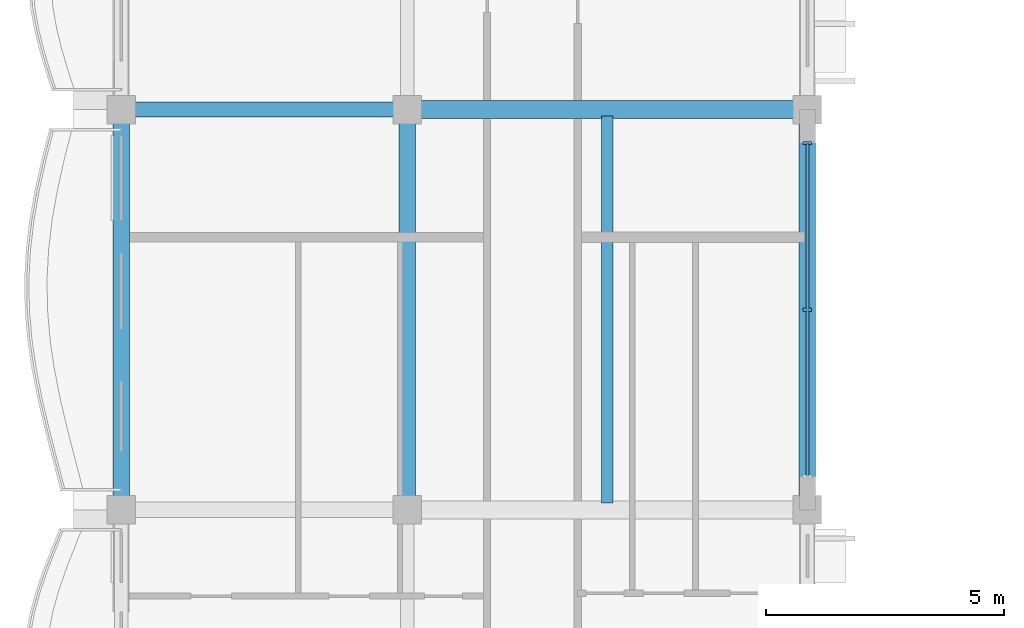
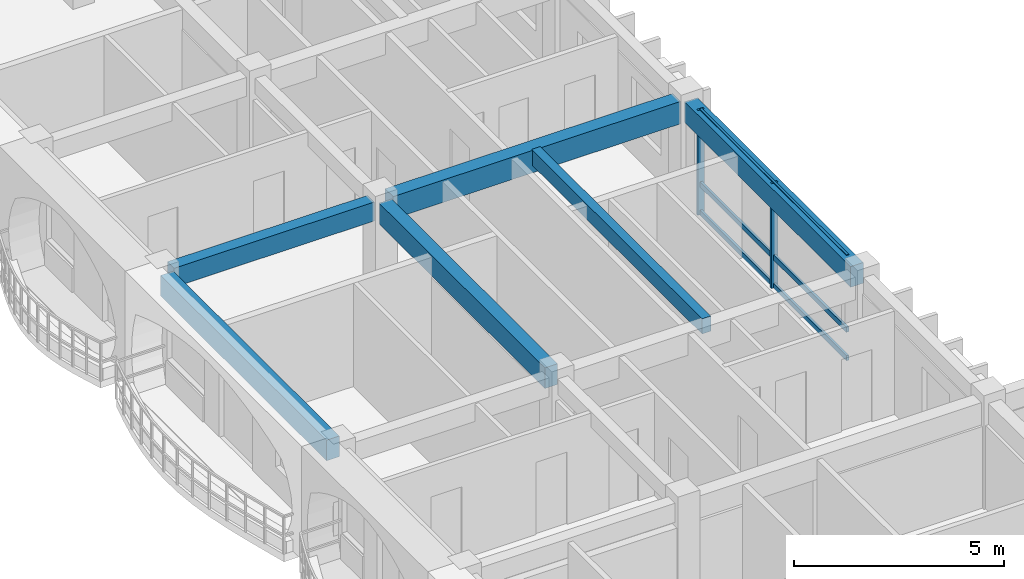
# One storey, part 5 of 79: 6 beams, 5 members, 1 element without a shape of its own.
"""IFC4 building model written with IfcOpenShell, lengths in metres."""

from ifc_helpers import new_model, si_unit, direction, frame, origin, origin_2d, place, context, subcontext, project, spatial, rectangle, extrude, material, material_profile, profile_set, type_object, element, aggregate, save


model = new_model("IFC4")

# Units and contexts
model_context = context("Model", 3, precision=1e-05, world=origin(), true_north=direction((0.0, 1.0)))
body_context = subcontext(model_context, "Body", "Model", "MODEL_VIEW")
ifc_project = project(units=[si_unit("LENGTHUNIT", "METRE"), si_unit("AREAUNIT", "SQUARE_METRE"), si_unit("VOLUMEUNIT", "CUBIC_METRE"), si_unit("PLANEANGLEUNIT", "RADIAN"), si_unit("MASSUNIT", "GRAM", prefix="KILO"), si_unit("THERMODYNAMICTEMPERATUREUNIT", "KELVIN")], contexts=[model_context])

# Site, building, storey
site_placement = place(None, origin())
site = spatial("IfcSite", under=ifc_project, at=site_placement, CompositionType="ELEMENT")
building_placement = place(site_placement, origin())
building = spatial("IfcBuilding", under=site, at=building_placement, Name="Thalorik Housing Commons", CompositionType="ELEMENT")
storey_placement = place(building_placement, frame((0.0, 0.0, 11.39990234375)))
storey = spatial("IfcBuildingStorey", under=building, at=storey_placement, Name="L03", CompositionType="ELEMENT", Elevation=11.39990234375)

# Curtain wall, members
ifc_material_1 = material(Name="Anodised aluminium and solar-control low-E glass", Category="aluminium")
curtain_wall_type = type_object("IfcCurtainWallType", Name="ARC-CW-LOUNGE", PredefinedType="USERDEFINED", material=ifc_material_1)
curtain_wall_placement = place(storey_placement, origin())
curtain_wall = element("IfcCurtainWall", 1, at=curtain_wall_placement, inside=storey, type_object=curtain_wall_type, Name="L03 Curtain Wall CW-RES-L03-C-137", ObjectType="CURTAIN WALL", PredefinedType="USERDEFINED")
ifc_material_2 = material(Name="Anodised aluminium 6063-T6", Category="aluminium")
ifc_material_profile_1 = material_profile(ifc_material_2, rectangle(XDim=0.06494140625, YDim=0.179931640625, at=origin_2d()), Name="ALU MUL 65x180", Category="aluminium")
ifc_profile_set_1 = profile_set([ifc_material_profile_1], Name="Anodised aluminium 6063-T6")
member_type_1 = type_object("IfcMemberType", Name="ARC-CW-MUL-65x180", PredefinedType="MULLION", material=ifc_profile_set_1)
member_1_placement = place(storey_placement, frame((22.800048828125, 33.0, 0.0), z_axis=(0.0, 0.0, 1.0), x_axis=(0.0, 1.0, 0.0)))
member_1 = element("IfcMember", 2, at=member_1_placement, type_object=member_type_1, Name="CW-RES-L03-C-137 Mullion 2", PredefinedType="MULLION", context=body_context, shape_type="SweptSolid", body=[
    extrude(rectangle(XDim=0.06494140625, YDim=0.179931640625, at=origin_2d()), origin(), (0.0, 0.0, 1.0), 3.0400390625),
])
member_2_placement = place(storey_placement, frame((22.800048828125, 36.5, 0.0), z_axis=(0.0, 0.0, 1.0), x_axis=(0.0, 1.0, 0.0)))
member_2 = element("IfcMember", 3, at=member_2_placement, type_object=member_type_1, Name="CW-RES-L03-C-137 Mullion 3", PredefinedType="MULLION", context=body_context, shape_type="SweptSolid", body=[
    extrude(rectangle(XDim=0.06494140625, YDim=0.179931640625, at=origin_2d()), origin(), (0.0, 0.0, 1.0), 3.0400390625),
])
ifc_material_profile_2 = material_profile(ifc_material_2, rectangle(XDim=0.06494140625, YDim=0.14990234375, at=origin_2d()), Name="ALU TRN 65x150", Category="aluminium")
ifc_profile_set_2 = profile_set([ifc_material_profile_2], Name="Anodised aluminium 6063-T6")
member_type_2 = type_object("IfcMemberType", Name="ARC-CW-TRN-65x150", PredefinedType="USERDEFINED", material=ifc_profile_set_2)
member_3_placement = place(storey_placement, frame((22.800048828125, 29.5, 0.05517578125), z_axis=(0.0, 1.0, 0.0), x_axis=(-1.0, 0.0, 0.0)))
member_3 = element("IfcMember", 4, at=member_3_placement, type_object=member_type_2, Name="CW-RES-L03-C-137 Transom 1", ObjectType="TRANSOM", PredefinedType="USERDEFINED", context=body_context, shape_type="SweptSolid", body=[
    extrude(rectangle(XDim=0.06494140625, YDim=0.14990234375, at=origin_2d()), origin(), (0.0, 0.0, 1.0), 7.0),
])
member_4_placement = place(storey_placement, frame((22.800048828125, 29.5, 0.880126953125), z_axis=(0.0, 1.0, 0.0), x_axis=(-1.0, 0.0, 0.0)))
member_4 = element("IfcMember", 5, at=member_4_placement, type_object=member_type_2, Name="CW-RES-L03-C-137 Transom 2", ObjectType="TRANSOM", PredefinedType="USERDEFINED", context=body_context, shape_type="SweptSolid", body=[
    extrude(rectangle(XDim=0.06494140625, YDim=0.14990234375, at=origin_2d()), origin(), (0.0, 0.0, 1.0), 7.0),
])
member_5_placement = place(storey_placement, frame((22.800048828125, 29.5, 2.985107421875), z_axis=(0.0, 1.0, 0.0), x_axis=(-1.0, 0.0, 0.0)))
member_5 = element("IfcMember", 6, at=member_5_placement, type_object=member_type_2, Name="CW-RES-L03-C-137 Transom 3", ObjectType="TRANSOM", PredefinedType="USERDEFINED", context=body_context, shape_type="SweptSolid", body=[
    extrude(rectangle(XDim=0.06494140625, YDim=0.14990234375, at=origin_2d()), origin(), (0.0, 0.0, 1.0), 7.0),
])
aggregate(curtain_wall, [member_1, member_2, member_3, member_4, member_5])

# Beams
ifc_material_3 = material(Name="Precast concrete C40/50", Category="concrete")
ifc_material_profile_3 = material_profile(ifc_material_3, rectangle(XDim=0.320068359375, YDim=0.550048828125, at=origin_2d()), Name="PC 320x550", Category="concrete")
ifc_profile_set_3 = profile_set([ifc_material_profile_3], Name="Precast concrete C40/50")
beam_type_1 = type_object("IfcBeamType", Name="STR-BM-PC320x550", PredefinedType="BEAM", material=ifc_profile_set_3)
beam_1_placement = place(storey_placement, frame((8.64990234375, 37.199951171875, 2.76513671875), z_axis=(1.0, 0.0, 0.0), x_axis=(0.0, 1.0, 0.0)))
element("IfcBeam", 7, at=beam_1_placement, inside=storey, type_object=beam_type_1, Name="L03 Beam B-550", PredefinedType="BEAM", context=body_context, shape_type="SweptSolid", body=[
    extrude(rectangle(XDim=0.320068359375, YDim=0.550048828125, at=origin_2d()), origin(), (0.0, 0.0, 1.0), 5.5),
])
ifc_material_profile_4 = material_profile(ifc_material_3, rectangle(XDim=0.35009765625, YDim=0.60009765625, at=origin_2d()), Name="PC 350x600", Category="concrete")
ifc_profile_set_4 = profile_set([ifc_material_profile_4], Name="Precast concrete C40/50")
beam_type_2 = type_object("IfcBeamType", Name="STR-BM-PC350x600", PredefinedType="BEAM", material=ifc_profile_set_4)
for number, where, z_axis, x_axis, name in (
    (8, (8.39990234375, 29.050048828125, 2.739990234375), (0.0, 1.0, 0.0), (-1.0, 0.0, 0.0), "L03 Beam B-600"),
    (9, (14.39990234375, 29.050048828125, 2.739990234375), (0.0, 1.0, 0.0), (-1.0, 0.0, 0.0), "L03 Beam B-600"),
    (10, (22.800048828125, 29.050048828125, 2.739990234375), (0.0, 1.0, 0.0), (-1.0, 0.0, 0.0), "L03 Beam B-600"),
):
    element("IfcBeam", number, at=place(storey_placement, frame(where, z_axis=z_axis, x_axis=x_axis)), inside=storey, type_object=beam_type_2, Name=name, PredefinedType="BEAM", context=body_context, shape_type="SweptSolid", body=[
        extrude(rectangle(XDim=0.35009765625, YDim=0.60009765625, at=origin_2d()), origin(), (0.0, 0.0, 1.0), 7.89990234375),
    ])
ifc_material_profile_5 = material_profile(ifc_material_3, rectangle(XDim=0.3798828125, YDim=0.64990234375, at=origin_2d()), Name="PC 380x650", Category="concrete")
ifc_profile_set_5 = profile_set([ifc_material_profile_5], Name="Precast concrete C40/50")
beam_type_3 = type_object("IfcBeamType", Name="STR-BM-PC380x650", PredefinedType="BEAM", material=ifc_profile_set_5)
beam_2_placement = place(storey_placement, frame((14.64990234375, 37.199951171875, 2.715087890625), z_axis=(1.0, 0.0, 0.0), x_axis=(0.0, 1.0, 0.0)))
element("IfcBeam", 11, at=beam_2_placement, inside=storey, type_object=beam_type_3, Name="L03 Beam B-650", PredefinedType="BEAM", context=body_context, shape_type="SweptSolid", body=[
    extrude(rectangle(XDim=0.3798828125, YDim=0.64990234375, at=origin_2d()), origin(), (0.0, 0.0, 1.0), 7.900146484375),
])
ifc_material_profile_6 = material_profile(ifc_material_3, rectangle(XDim=0.239990234375, YDim=0.43994140625, at=origin_2d()), Name="PC JST 240x440", Category="concrete")
ifc_profile_set_6 = profile_set([ifc_material_profile_6], Name="Precast concrete C40/50")
beam_type_4 = type_object("IfcBeamType", Name="STR-JST-PC240x440", PredefinedType="JOIST", material=ifc_profile_set_6)
beam_3_placement = place(storey_placement, frame((18.60009765625, 28.93994140625, 2.820068359375), z_axis=(0.0, 1.0, 0.0), x_axis=(-1.0, 0.0, 0.0)))
element("IfcBeam", 12, at=beam_3_placement, inside=storey, type_object=beam_type_4, Name="L03 Beam J-440", PredefinedType="JOIST", context=body_context, shape_type="SweptSolid", body=[
    extrude(rectangle(XDim=0.239990234375, YDim=0.43994140625, at=origin_2d()), origin(), (0.0, 0.0, 1.0), 8.1201171875),
])

save(model, "model.ifc")
